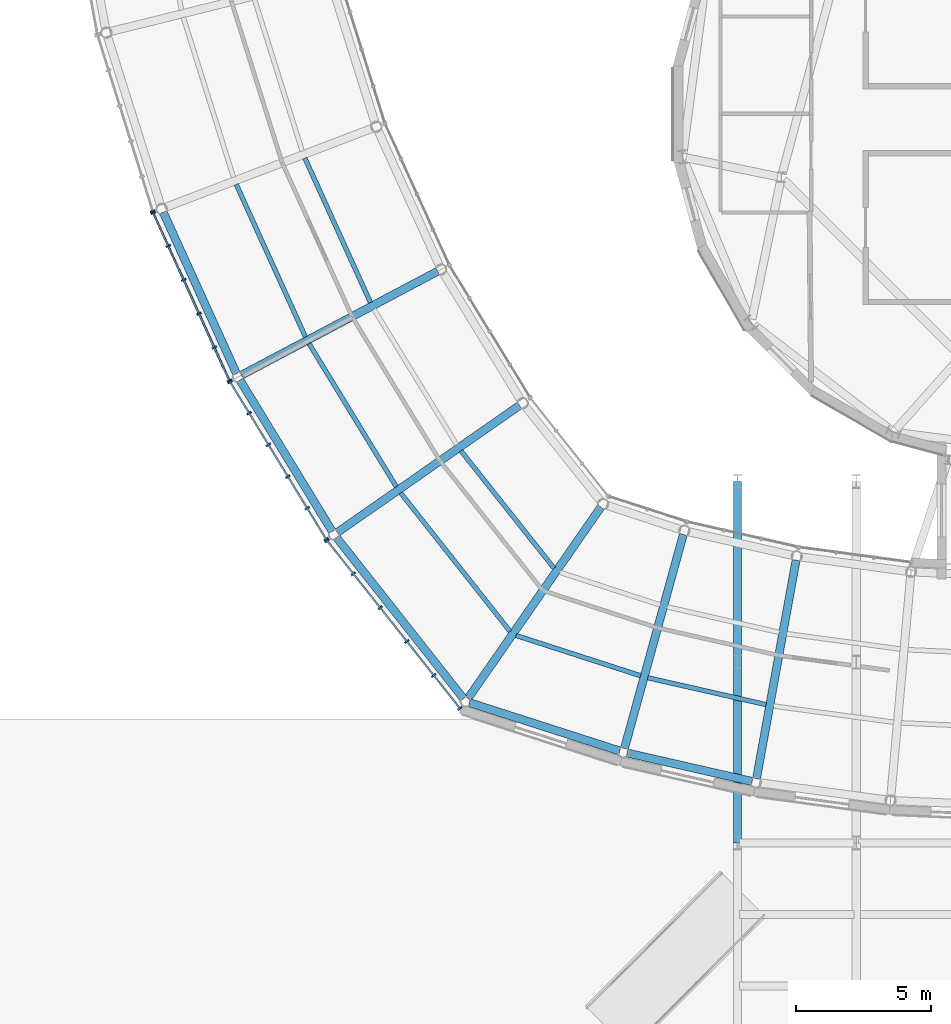
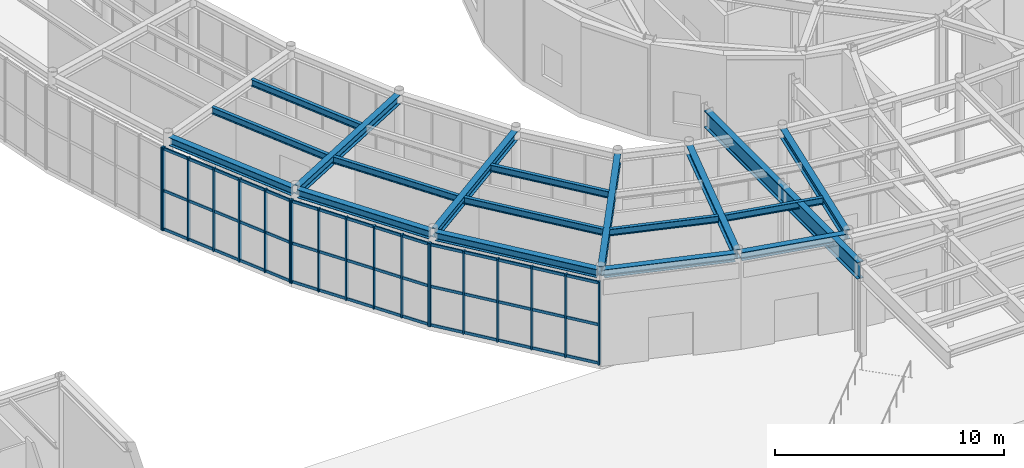
# One storey, part 19 of 97: 28 members, 18 beams, 4 elements without a shape of their own.
"""IFC4 building model written with IfcOpenShell, lengths in metres."""

from ifc_helpers import new_model, si_unit, direction, frame, origin, origin_2d, place, context, subcontext, project, spatial, rectangle, i_section, extrude, material, material_profile, profile_set, type_object, element, aggregate, save


model = new_model("IFC4")

# Units and contexts
model_context = context("Model", 3, precision=1e-05, world=origin(), true_north=direction((0.0, 1.0)))
body_context = subcontext(model_context, "Body", "Model", "MODEL_VIEW")
ifc_project = project(units=[si_unit("LENGTHUNIT", "METRE"), si_unit("AREAUNIT", "SQUARE_METRE"), si_unit("VOLUMEUNIT", "CUBIC_METRE"), si_unit("PLANEANGLEUNIT", "RADIAN"), si_unit("MASSUNIT", "GRAM", prefix="KILO")], contexts=[model_context])

# Site, building, storey
site_placement = place(None, origin())
site = spatial("IfcSite", under=ifc_project, at=site_placement, CompositionType="ELEMENT")
building_placement = place(site_placement, origin())
building = spatial("IfcBuilding", under=site, at=building_placement, Name="Varnklinge Art Gallery", CompositionType="ELEMENT")
storey_placement = place(building_placement, origin())
storey = spatial("IfcBuildingStorey", under=building, at=storey_placement, Name="L00", CompositionType="ELEMENT", Elevation=0.0)

# Beams
ifc_material_1 = material(Name="Steel S355", Category="steel")
ifc_material_profile_1 = material_profile(ifc_material_1, i_section(OverallWidth=0.300048828125, OverallDepth=0.89990234375, WebThickness=0.0185546875, FlangeThickness=0.034912109375, FilletRadius=0.030029296875, at=origin_2d()), Name="HEB 900")
ifc_profile_set_1 = profile_set([ifc_material_profile_1], Name="Steel S355")
beam_type_1 = type_object("IfcBeamType", Name="BM-02", PredefinedType="BEAM", material=ifc_profile_set_1)
beam_1_placement = place(storey_placement, frame((64.800048828125, 24.800048828125, 4.429931640625), z_axis=(0.0, -1.0, 0.0), x_axis=(1.0, 0.0, 0.0)))
element("IfcBeam", 1, at=beam_1_placement, inside=storey, type_object=beam_type_1, Name="Canopy Inline Backspan Girder 1", PredefinedType="BEAM", context=body_context, shape_type="SweptSolid", body=[
    extrude(i_section(OverallWidth=0.300048828125, OverallDepth=0.89990234375, WebThickness=0.0185546875, FlangeThickness=0.034912109375, FilletRadius=0.030029296875, at=origin_2d()), origin(), (0.0, 0.0, 1.0), 13.400146484375),
])
ifc_material_2 = material(Name="Steel S355", Category="steel")
ifc_material_profile_2 = material_profile(ifc_material_2, i_section(OverallWidth=0.300048828125, OverallDepth=0.489990234375, WebThickness=0.011962890625, FlangeThickness=0.02294921875, FilletRadius=0.027099609375, at=origin_2d()), Name="HEA 500")
ifc_profile_set_2 = profile_set([ifc_material_profile_2], Name="Steel S355")
beam_type_2 = type_object("IfcBeamType", Name="BM-07", PredefinedType="BEAM", material=ifc_profile_set_2)
beam_2_placement = place(storey_placement, frame((46.407470703125, 28.734619140625, 4.635009765625), z_axis=(0.883713647739, 0.468027978651, 0.0), x_axis=(-0.468027978651, 0.883713647739, 0.0)))
element("IfcBeam", 2, at=beam_2_placement, inside=storey, type_object=beam_type_2, Name="L00 BM-07 BM-V2-L01-R31", PredefinedType="BEAM", context=body_context, shape_type="SweptSolid", body=[
    extrude(i_section(OverallWidth=0.300048828125, OverallDepth=0.489990234375, WebThickness=0.011962890625, FlangeThickness=0.02294921875, FilletRadius=0.027099609375, at=origin_2d()), origin(), (0.0, 0.0, 1.0), 8.237060546875),
])
beam_3_placement = place(storey_placement, frame((49.96484375, 22.9052734375, 4.635009765625), z_axis=(0.820324852304, 0.571897837635, 0.0), x_axis=(-0.571897837635, 0.820324852304, 0.0)))
element("IfcBeam", 3, at=beam_3_placement, inside=storey, type_object=beam_type_2, Name="L00 BM-07 BM-V2-L01-R32", PredefinedType="BEAM", context=body_context, shape_type="SweptSolid", body=[
    extrude(i_section(OverallWidth=0.300048828125, OverallDepth=0.489990234375, WebThickness=0.011962890625, FlangeThickness=0.02294921875, FilletRadius=0.027099609375, at=origin_2d()), origin(), (0.0, 0.0, 1.0), 8.2373046875),
])
beam_4_placement = place(storey_placement, frame((54.80908203125, 16.755126953125, 4.635009765625), z_axis=(0.570588727281, 0.821235961402, 0.0), x_axis=(-0.821235961402, 0.570588727281, 0.0)))
element("IfcBeam", 4, at=beam_4_placement, inside=storey, type_object=beam_type_2, Name="L00 BM-07 BM-V2-L01-R33", PredefinedType="BEAM", context=body_context, shape_type="SweptSolid", body=[
    extrude(i_section(OverallWidth=0.300048828125, OverallDepth=0.489990234375, WebThickness=0.011962890625, FlangeThickness=0.02294921875, FilletRadius=0.027099609375, at=origin_2d()), origin(), (0.0, 0.0, 1.0), 8.6318359375),
])
for number, where, z_axis, x_axis, name in (
    (5, (60.607421875, 14.897705078125, 4.635009765625), (0.26537851046, 0.96414430776, 0.0), (-0.96414430776, 0.26537851046, 0.0), "L00 BM-07 BM-V2-L01-R34"),
    (6, (65.504638671875, 13.78271484375, 4.635009765625), (0.178151776958, 0.984003020507, 0.0), (-0.984003020507, 0.178151776958, 0.0), "L00 BM-07 BM-V2-L01-R35"),
):
    element("IfcBeam", number, at=place(storey_placement, frame(where, z_axis=z_axis, x_axis=x_axis)), inside=storey, type_object=beam_type_2, Name=name, PredefinedType="BEAM", context=body_context, shape_type="SweptSolid", body=[
        extrude(i_section(OverallWidth=0.300048828125, OverallDepth=0.489990234375, WebThickness=0.011962890625, FlangeThickness=0.02294921875, FilletRadius=0.027099609375, at=origin_2d()), origin(), (0.0, 0.0, 1.0), 8.229248046875),
    ])
ifc_material_3 = material(Name="Steel S355", Category="steel")
ifc_material_profile_3 = material_profile(ifc_material_3, i_section(OverallWidth=0.169921875, OverallDepth=0.360107421875, WebThickness=0.008056640625, FlangeThickness=0.0126953125, FilletRadius=0.01806640625, at=origin_2d()), Name="IPE 360")
ifc_profile_set_3 = profile_set([ifc_material_profile_3], Name="Steel S355")
beam_type_3 = type_object("IfcBeamType", Name="JST-06", PredefinedType="JOIST", material=ifc_profile_set_3)
beam_5_placement = place(storey_placement, frame((46.216064453125, 35.809814453125, 4.699951171875), z_axis=(0.413409198448, -0.910545350127, 0.0), x_axis=(0.910545350127, 0.413409198448, 0.0)))
element("IfcBeam", 7, at=beam_5_placement, inside=storey, type_object=beam_type_3, Name="L00 JST-06 JST-V2-L01-30-1", PredefinedType="JOIST", context=body_context, shape_type="SweptSolid", body=[
    extrude(i_section(OverallWidth=0.169921875, OverallDepth=0.360107421875, WebThickness=0.008056640625, FlangeThickness=0.0126953125, FilletRadius=0.01806640625, at=origin_2d()), origin(), (0.0, 0.0, 1.0), 6.2138671875),
])
beam_6_placement = place(storey_placement, frame((48.76171875, 36.783447265625, 4.699951171875), z_axis=(0.413430786601, -0.910535548285, 0.0), x_axis=(0.910535548285, 0.413430786601, 0.0)))
element("IfcBeam", 8, at=beam_6_placement, inside=storey, type_object=beam_type_3, Name="L00 JST-06 JST-V2-L01-30-2", PredefinedType="JOIST", context=body_context, shape_type="SweptSolid", body=[
    extrude(i_section(OverallWidth=0.169921875, OverallDepth=0.360107421875, WebThickness=0.008056640625, FlangeThickness=0.0126953125, FilletRadius=0.01806640625, at=origin_2d()), origin(), (0.0, 0.0, 1.0), 5.88232421875),
])
beam_7_placement = place(storey_placement, frame((48.915771484375, 29.90478515625, 4.699951171875), z_axis=(0.520923848619, -0.853603153661, 0.0), x_axis=(0.853603153661, 0.520923848619, 0.0)))
element("IfcBeam", 9, at=beam_7_placement, inside=storey, type_object=beam_type_3, Name="L00 JST-06 JST-V2-L01-31-1", PredefinedType="JOIST", context=body_context, shape_type="SweptSolid", body=[
    extrude(i_section(OverallWidth=0.169921875, OverallDepth=0.360107421875, WebThickness=0.008056640625, FlangeThickness=0.0126953125, FilletRadius=0.01806640625, at=origin_2d()), origin(), (0.0, 0.0, 1.0), 6.213623046875),
])
beam_8_placement = place(storey_placement, frame((52.3125, 24.37158203125, 4.699951171875), z_axis=(0.620207823033, -0.784437541331, 0.0), x_axis=(0.784437541331, 0.620207823033, 0.0)))
element("IfcBeam", 10, at=beam_8_placement, inside=storey, type_object=beam_type_3, Name="L00 JST-06 JST-V2-L01-32-1", PredefinedType="JOIST", context=body_context, shape_type="SweptSolid", body=[
    extrude(i_section(OverallWidth=0.169921875, OverallDepth=0.360107421875, WebThickness=0.008056640625, FlangeThickness=0.0126953125, FilletRadius=0.01806640625, at=origin_2d()), origin(), (0.0, 0.0, 1.0), 6.5439453125),
])
beam_9_placement = place(storey_placement, frame((54.54833984375, 25.930419921875, 4.699951171875), z_axis=(0.621380748712, -0.783508752427, 0.0), x_axis=(0.783508752427, 0.621380748712, 0.0)))
element("IfcBeam", 11, at=beam_9_placement, inside=storey, type_object=beam_type_3, Name="L00 JST-06 JST-V2-L01-32-2", PredefinedType="JOIST", context=body_context, shape_type="SweptSolid", body=[
    extrude(i_section(OverallWidth=0.169921875, OverallDepth=0.360107421875, WebThickness=0.008056640625, FlangeThickness=0.0126953125, FilletRadius=0.01806640625, at=origin_2d()), origin(), (0.0, 0.0, 1.0), 5.552001953125),
])
beam_10_placement = place(storey_placement, frame((56.59130859375, 19.085693359375, 4.699951171875), z_axis=(0.951573262441, -0.307422065259, 0.0), x_axis=(0.307422065259, 0.951573262441, 0.0)))
element("IfcBeam", 12, at=beam_10_placement, inside=storey, type_object=beam_type_3, Name="L00 JST-06 JST-V2-L01-33-1", PredefinedType="JOIST", context=body_context, shape_type="SweptSolid", body=[
    extrude(i_section(OverallWidth=0.169921875, OverallDepth=0.360107421875, WebThickness=0.008056640625, FlangeThickness=0.0126953125, FilletRadius=0.01806640625, at=origin_2d()), origin(), (0.0, 0.0, 1.0), 4.848388671875),
])
beam_11_placement = place(storey_placement, frame((61.474609375, 17.52099609375, 4.699951171875), z_axis=(0.975052249235, -0.22197547446, 0.0), x_axis=(0.22197547446, 0.975052249235, 0.0)))
element("IfcBeam", 13, at=beam_11_placement, inside=storey, type_object=beam_type_3, Name="L00 JST-06 JST-V2-L01-34-1", PredefinedType="JOIST", context=body_context, shape_type="SweptSolid", body=[
    extrude(i_section(OverallWidth=0.169921875, OverallDepth=0.360107421875, WebThickness=0.008056640625, FlangeThickness=0.0126953125, FilletRadius=0.01806640625, at=origin_2d()), origin(), (0.0, 0.0, 1.0), 4.49609375),
])

# Curtain wall, member
ifc_material_4 = material(Name="Anodised Aluminium", Category="aluminium")
curtain_wall_type = type_object("IfcCurtainWallType", Name="CW-R01", PredefinedType="USERDEFINED", material=ifc_material_4)
curtain_wall_1_placement = place(storey_placement, origin())
curtain_wall_1 = element("IfcCurtainWall", 14, at=curtain_wall_1_placement, inside=storey, type_object=curtain_wall_type, Name="L00 Curtain Wall CW-V2O-L00-29", ObjectType="UNITISED CURTAIN WALL", PredefinedType="USERDEFINED")
ifc_material_5 = material(Name="Anodised Aluminium", Category="aluminium")
ifc_material_profile_4 = material_profile(ifc_material_5, rectangle(XDim=0.06494140625, YDim=0.179931640625, at=origin_2d()), Name="ALU 65x180")
ifc_profile_set_4 = profile_set([ifc_material_profile_4], Name="Anodised Aluminium")
member_type_1 = type_object("IfcMemberType", Name="MUL-01", PredefinedType="MULLION", material=ifc_profile_set_4)
member_1_placement = place(storey_placement, frame((43.116943359375, 34.808837890625, 0.0), z_axis=(0.0, 0.0, 1.0), x_axis=(0.299706904751, -0.954031326134, 0.0)))
member_1 = element("IfcMember", 15, at=member_1_placement, type_object=member_type_1, Name="CW-V2O-L00-29 Mullion 6", PredefinedType="MULLION", context=body_context, shape_type="SweptSolid", body=[
    extrude(rectangle(XDim=0.06494140625, YDim=0.179931640625, at=origin_2d()), origin(), (0.0, 0.0, 1.0), 4.429931640625),
])
aggregate(curtain_wall_1, [member_1])

# Curtain wall, members
curtain_wall_2_placement = place(storey_placement, origin())
curtain_wall_2 = element("IfcCurtainWall", 16, at=curtain_wall_2_placement, inside=storey, type_object=curtain_wall_type, Name="L00 Curtain Wall CW-V2O-L00-30", ObjectType="UNITISED CURTAIN WALL", PredefinedType="USERDEFINED")
member_2_placement = place(storey_placement, frame((43.139892578125, 34.748291015625, 0.0), z_axis=(0.0, 0.0, 1.0), x_axis=(0.413422293217, -0.910539404678, 0.0)))
member_2 = element("IfcMember", 17, at=member_2_placement, type_object=member_type_1, Name="CW-V2O-L00-30 Mullion 1", PredefinedType="MULLION", context=body_context, shape_type="SweptSolid", body=[
    extrude(rectangle(XDim=0.06494140625, YDim=0.179931640625, at=origin_2d()), origin(), (0.0, 0.0, 1.0), 4.429931640625),
])
member_3_placement = place(storey_placement, frame((43.6962890625, 33.523193359375, 0.0), z_axis=(0.0, 0.0, 1.0), x_axis=(0.413422293217, -0.910539404678, 0.0)))
member_3 = element("IfcMember", 18, at=member_3_placement, type_object=member_type_1, Name="CW-V2O-L00-30 Mullion 2", PredefinedType="MULLION", context=body_context, shape_type="SweptSolid", body=[
    extrude(rectangle(XDim=0.06494140625, YDim=0.179931640625, at=origin_2d()), origin(), (0.0, 0.0, 1.0), 4.429931640625),
])
member_4_placement = place(storey_placement, frame((44.265869140625, 32.268798828125, 0.0), z_axis=(0.0, 0.0, 1.0), x_axis=(0.413422293217, -0.910539404678, 0.0)))
member_4 = element("IfcMember", 19, at=member_4_placement, type_object=member_type_1, Name="CW-V2O-L00-30 Mullion 3", PredefinedType="MULLION", context=body_context, shape_type="SweptSolid", body=[
    extrude(rectangle(XDim=0.06494140625, YDim=0.179931640625, at=origin_2d()), origin(), (0.0, 0.0, 1.0), 4.429931640625),
])
member_5_placement = place(storey_placement, frame((44.835205078125, 31.01416015625, 0.0), z_axis=(0.0, 0.0, 1.0), x_axis=(0.413422293217, -0.910539404678, 0.0)))
member_5 = element("IfcMember", 20, at=member_5_placement, type_object=member_type_1, Name="CW-V2O-L00-30 Mullion 4", PredefinedType="MULLION", context=body_context, shape_type="SweptSolid", body=[
    extrude(rectangle(XDim=0.06494140625, YDim=0.179931640625, at=origin_2d()), origin(), (0.0, 0.0, 1.0), 4.429931640625),
])
member_6_placement = place(storey_placement, frame((45.40478515625, 29.759765625, 0.0), z_axis=(0.0, 0.0, 1.0), x_axis=(0.413422293217, -0.910539404678, 0.0)))
member_6 = element("IfcMember", 21, at=member_6_placement, type_object=member_type_1, Name="CW-V2O-L00-30 Mullion 5", PredefinedType="MULLION", context=body_context, shape_type="SweptSolid", body=[
    extrude(rectangle(XDim=0.06494140625, YDim=0.179931640625, at=origin_2d()), origin(), (0.0, 0.0, 1.0), 4.429931640625),
])
member_7_placement = place(storey_placement, frame((45.961181640625, 28.534912109375, 0.0), z_axis=(0.0, 0.0, 1.0), x_axis=(0.413422293217, -0.910539404678, 0.0)))
member_7 = element("IfcMember", 22, at=member_7_placement, type_object=member_type_1, Name="CW-V2O-L00-30 Mullion 6", PredefinedType="MULLION", context=body_context, shape_type="SweptSolid", body=[
    extrude(rectangle(XDim=0.06494140625, YDim=0.179931640625, at=origin_2d()), origin(), (0.0, 0.0, 1.0), 4.429931640625),
])

curtain_wall_3_placement = place(storey_placement, origin())
curtain_wall_3 = element("IfcCurtainWall", 23, at=curtain_wall_3_placement, inside=storey, type_object=curtain_wall_type, Name="L00 Curtain Wall CW-V2O-L00-31", ObjectType="UNITISED CURTAIN WALL", PredefinedType="USERDEFINED")
member_8_placement = place(storey_placement, frame((45.991455078125, 28.4775390625, 0.0), z_axis=(0.0, 0.0, 1.0), x_axis=(0.520860651188, -0.85364171761, 0.0)))
member_8 = element("IfcMember", 24, at=member_8_placement, type_object=member_type_1, Name="CW-V2O-L00-31 Mullion 1", PredefinedType="MULLION", context=body_context, shape_type="SweptSolid", body=[
    extrude(rectangle(XDim=0.06494140625, YDim=0.179931640625, at=origin_2d()), origin(), (0.0, 0.0, 1.0), 4.429931640625),
])
member_9_placement = place(storey_placement, frame((46.692138671875, 27.3291015625, 0.0), z_axis=(0.0, 0.0, 1.0), x_axis=(0.520860651188, -0.85364171761, 0.0)))
member_9 = element("IfcMember", 25, at=member_9_placement, type_object=member_type_1, Name="CW-V2O-L00-31 Mullion 2", PredefinedType="MULLION", context=body_context, shape_type="SweptSolid", body=[
    extrude(rectangle(XDim=0.06494140625, YDim=0.179931640625, at=origin_2d()), origin(), (0.0, 0.0, 1.0), 4.429931640625),
])
member_10_placement = place(storey_placement, frame((47.409912109375, 26.153076171875, 0.0), z_axis=(0.0, 0.0, 1.0), x_axis=(0.520860651188, -0.85364171761, 0.0)))
member_10 = element("IfcMember", 26, at=member_10_placement, type_object=member_type_1, Name="CW-V2O-L00-31 Mullion 3", PredefinedType="MULLION", context=body_context, shape_type="SweptSolid", body=[
    extrude(rectangle(XDim=0.06494140625, YDim=0.179931640625, at=origin_2d()), origin(), (0.0, 0.0, 1.0), 4.429931640625),
])
member_11_placement = place(storey_placement, frame((48.127685546875, 24.97705078125, 0.0), z_axis=(0.0, 0.0, 1.0), x_axis=(0.520860651188, -0.85364171761, 0.0)))
member_11 = element("IfcMember", 27, at=member_11_placement, type_object=member_type_1, Name="CW-V2O-L00-31 Mullion 4", PredefinedType="MULLION", context=body_context, shape_type="SweptSolid", body=[
    extrude(rectangle(XDim=0.06494140625, YDim=0.179931640625, at=origin_2d()), origin(), (0.0, 0.0, 1.0), 4.429931640625),
])
member_12_placement = place(storey_placement, frame((48.84521484375, 23.801025390625, 0.0), z_axis=(0.0, 0.0, 1.0), x_axis=(0.520860651188, -0.85364171761, 0.0)))
member_12 = element("IfcMember", 28, at=member_12_placement, type_object=member_type_1, Name="CW-V2O-L00-31 Mullion 5", PredefinedType="MULLION", context=body_context, shape_type="SweptSolid", body=[
    extrude(rectangle(XDim=0.06494140625, YDim=0.179931640625, at=origin_2d()), origin(), (0.0, 0.0, 1.0), 4.429931640625),
])
member_13_placement = place(storey_placement, frame((49.546142578125, 22.652587890625, 0.0), z_axis=(0.0, 0.0, 1.0), x_axis=(0.520860651188, -0.85364171761, 0.0)))
member_13 = element("IfcMember", 29, at=member_13_placement, type_object=member_type_1, Name="CW-V2O-L00-31 Mullion 6", PredefinedType="MULLION", context=body_context, shape_type="SweptSolid", body=[
    extrude(rectangle(XDim=0.06494140625, YDim=0.179931640625, at=origin_2d()), origin(), (0.0, 0.0, 1.0), 4.429931640625),
])

curtain_wall_4_placement = place(storey_placement, origin())
curtain_wall_4 = element("IfcCurtainWall", 30, at=curtain_wall_4_placement, inside=storey, type_object=curtain_wall_type, Name="L00 Curtain Wall CW-V2O-L00-32", ObjectType="UNITISED CURTAIN WALL", PredefinedType="USERDEFINED")
member_14_placement = place(storey_placement, frame((49.583251953125, 22.599609375, 0.0), z_axis=(0.0, 0.0, 1.0), x_axis=(0.620737354217, -0.784018582101, 0.0)))
member_14 = element("IfcMember", 31, at=member_14_placement, type_object=member_type_1, Name="CW-V2O-L00-32 Mullion 1", PredefinedType="MULLION", context=body_context, shape_type="SweptSolid", body=[
    extrude(rectangle(XDim=0.06494140625, YDim=0.179931640625, at=origin_2d()), origin(), (0.0, 0.0, 1.0), 4.429931640625),
])
member_15_placement = place(storey_placement, frame((50.556396484375, 21.37060546875, 0.0), z_axis=(0.0, 0.0, 1.0), x_axis=(0.620737354217, -0.784018582101, 0.0)))
member_15 = element("IfcMember", 32, at=member_15_placement, type_object=member_type_1, Name="CW-V2O-L00-32 Mullion 2", PredefinedType="MULLION", context=body_context, shape_type="SweptSolid", body=[
    extrude(rectangle(XDim=0.06494140625, YDim=0.179931640625, at=origin_2d()), origin(), (0.0, 0.0, 1.0), 4.429931640625),
])
member_16_placement = place(storey_placement, frame((51.549560546875, 20.1162109375, 0.0), z_axis=(0.0, 0.0, 1.0), x_axis=(0.620737354217, -0.784018582101, 0.0)))
member_16 = element("IfcMember", 33, at=member_16_placement, type_object=member_type_1, Name="CW-V2O-L00-32 Mullion 3", PredefinedType="MULLION", context=body_context, shape_type="SweptSolid", body=[
    extrude(rectangle(XDim=0.06494140625, YDim=0.179931640625, at=origin_2d()), origin(), (0.0, 0.0, 1.0), 4.429931640625),
])
member_17_placement = place(storey_placement, frame((52.542724609375, 18.86181640625, 0.0), z_axis=(0.0, 0.0, 1.0), x_axis=(0.620737354217, -0.784018582101, 0.0)))
member_17 = element("IfcMember", 34, at=member_17_placement, type_object=member_type_1, Name="CW-V2O-L00-32 Mullion 4", PredefinedType="MULLION", context=body_context, shape_type="SweptSolid", body=[
    extrude(rectangle(XDim=0.06494140625, YDim=0.179931640625, at=origin_2d()), origin(), (0.0, 0.0, 1.0), 4.429931640625),
])
member_18_placement = place(storey_placement, frame((53.5361328125, 17.607177734375, 0.0), z_axis=(0.0, 0.0, 1.0), x_axis=(0.620737354217, -0.784018582101, 0.0)))
member_18 = element("IfcMember", 35, at=member_18_placement, type_object=member_type_1, Name="CW-V2O-L00-32 Mullion 5", PredefinedType="MULLION", context=body_context, shape_type="SweptSolid", body=[
    extrude(rectangle(XDim=0.06494140625, YDim=0.179931640625, at=origin_2d()), origin(), (0.0, 0.0, 1.0), 4.429931640625),
])
member_19_placement = place(storey_placement, frame((54.50927734375, 16.37841796875, 0.0), z_axis=(0.0, 0.0, 1.0), x_axis=(0.620737354217, -0.784018582101, 0.0)))
member_19 = element("IfcMember", 36, at=member_19_placement, type_object=member_type_1, Name="CW-V2O-L00-32 Mullion 6", PredefinedType="MULLION", context=body_context, shape_type="SweptSolid", body=[
    extrude(rectangle(XDim=0.06494140625, YDim=0.179931640625, at=origin_2d()), origin(), (0.0, 0.0, 1.0), 4.429931640625),
])

# Beams
ifc_material_6 = material(Name="Steel S355", Category="steel")
ifc_material_profile_5 = material_profile(ifc_material_6, i_section(OverallWidth=0.300048828125, OverallDepth=0.43994140625, WebThickness=0.011474609375, FlangeThickness=0.02099609375, FilletRadius=0.027099609375, at=origin_2d()), Name="HEA 450")
ifc_profile_set_5 = profile_set([ifc_material_profile_5], Name="Steel S355")
beam_type_4 = type_object("IfcBeamType", Name="SPB-02", PredefinedType="SPANDREL", material=ifc_profile_set_5)
beam_12_placement = place(storey_placement, frame((43.511474609375, 34.775390625, 4.659912109375), z_axis=(0.413377101484, -0.910559922229, 0.0), x_axis=(0.910559922229, 0.413377101484, 0.0)))
element("IfcBeam", 37, at=beam_12_placement, inside=storey, type_object=beam_type_4, Name="L00 SPB-02 BM-V2-L01-O30", PredefinedType="SPANDREL", context=body_context, shape_type="SweptSolid", body=[
    extrude(i_section(OverallWidth=0.300048828125, OverallDepth=0.43994140625, WebThickness=0.011474609375, FlangeThickness=0.02099609375, FilletRadius=0.027099609375, at=origin_2d()), origin(), (0.0, 0.0, 1.0), 6.56640625),
])
beam_13_placement = place(storey_placement, frame((46.356689453125, 28.549560546875, 4.659912109375), z_axis=(0.520911485476, -0.853610698327, 0.0), x_axis=(0.853610698327, 0.520911485476, 0.0)))
element("IfcBeam", 38, at=beam_13_placement, inside=storey, type_object=beam_type_4, Name="L00 SPB-02 BM-V2-L01-O31", PredefinedType="SPANDREL", context=body_context, shape_type="SweptSolid", body=[
    extrude(i_section(OverallWidth=0.300048828125, OverallDepth=0.43994140625, WebThickness=0.011474609375, FlangeThickness=0.02099609375, FilletRadius=0.027099609375, at=origin_2d()), origin(), (0.0, 0.0, 1.0), 6.566162109375),
])
beam_14_placement = place(storey_placement, frame((49.936767578125, 22.71533203125, 4.659912109375), z_axis=(0.619327516232, -0.785132745233, 0.0), x_axis=(0.785132745233, 0.619327516232, 0.0)))
element("IfcBeam", 39, at=beam_14_placement, inside=storey, type_object=beam_type_4, Name="L00 SPB-02 BM-V2-L01-O32", PredefinedType="SPANDREL", context=body_context, shape_type="SweptSolid", body=[
    extrude(i_section(OverallWidth=0.300048828125, OverallDepth=0.43994140625, WebThickness=0.011474609375, FlangeThickness=0.02099609375, FilletRadius=0.027099609375, at=origin_2d()), origin(), (0.0, 0.0, 1.0), 7.597900390625),
])
beam_15_placement = place(storey_placement, frame((54.8623046875, 16.597412109375, 4.659912109375), z_axis=(0.952022487869, -0.306028074843, 0.0), x_axis=(0.306028074843, 0.952022487869, 0.0)))
element("IfcBeam", 40, at=beam_15_placement, inside=storey, type_object=beam_type_4, Name="L00 SPB-02 BM-V2-L01-O33", PredefinedType="SPANDREL", context=body_context, shape_type="SweptSolid", body=[
    extrude(i_section(OverallWidth=0.300048828125, OverallDepth=0.43994140625, WebThickness=0.011474609375, FlangeThickness=0.02099609375, FilletRadius=0.027099609375, at=origin_2d()), origin(), (0.0, 0.0, 1.0), 5.855712890625),
])
beam_16_placement = place(storey_placement, frame((60.706787109375, 14.7314453125, 4.659912109375), z_axis=(0.975056640979, -0.221956182347, 0.0), x_axis=(0.221956182347, 0.975056640979, 0.0)))
element("IfcBeam", 41, at=beam_16_placement, inside=storey, type_object=beam_type_4, Name="L00 SPB-02 BM-V2-L01-O34", PredefinedType="SPANDREL", context=body_context, shape_type="SweptSolid", body=[
    extrude(i_section(OverallWidth=0.300048828125, OverallDepth=0.43994140625, WebThickness=0.011474609375, FlangeThickness=0.02099609375, FilletRadius=0.027099609375, at=origin_2d()), origin(), (0.0, 0.0, 1.0), 4.755126953125),
])

# Member
ifc_material_7 = material(Name="Anodised Aluminium", Category="aluminium")
ifc_material_profile_6 = material_profile(ifc_material_7, rectangle(XDim=0.06494140625, YDim=0.14990234375, at=origin_2d()), Name="ALU 65x150")
ifc_profile_set_6 = profile_set([ifc_material_profile_6], Name="Anodised Aluminium")
member_type_2 = type_object("IfcMemberType", Name="TRN-01", PredefinedType="USERDEFINED", material=ifc_profile_set_6)
member_20_placement = place(storey_placement, frame((43.139892578125, 34.748291015625, 0.074951171875), z_axis=(0.413441708703, -0.910530589, 0.0), x_axis=(0.910530589, 0.413441708703, 0.0)))
member_20 = element("IfcMember", 42, at=member_20_placement, type_object=member_type_2, Name="CW-V2O-L00-30 Transom 1", ObjectType="TRANSOM", PredefinedType="USERDEFINED", context=body_context, shape_type="SweptSolid", body=[
    extrude(rectangle(XDim=0.06494140625, YDim=0.14990234375, at=origin_2d()), origin(), (0.0, 0.0, 1.0), 6.823974609375),
])

member_21_placement = place(storey_placement, frame((43.139892578125, 34.748291015625, 2.12646484375), z_axis=(0.413441708703, -0.910530589, 0.0), x_axis=(0.910530589, 0.413441708703, 0.0)))
member_21 = element("IfcMember", 43, at=member_21_placement, type_object=member_type_2, Name="CW-V2O-L00-30 Transom 2", ObjectType="TRANSOM", PredefinedType="USERDEFINED", context=body_context, shape_type="SweptSolid", body=[
    extrude(rectangle(XDim=0.06494140625, YDim=0.14990234375, at=origin_2d()), origin(), (0.0, 0.0, 1.0), 6.823974609375),
])

member_22_placement = place(storey_placement, frame((43.139892578125, 34.748291015625, 4.35498046875), z_axis=(0.413441708703, -0.910530589, 0.0), x_axis=(0.910530589, 0.413441708703, 0.0)))
member_22 = element("IfcMember", 44, at=member_22_placement, type_object=member_type_2, Name="CW-V2O-L00-30 Transom 3", ObjectType="TRANSOM", PredefinedType="USERDEFINED", context=body_context, shape_type="SweptSolid", body=[
    extrude(rectangle(XDim=0.06494140625, YDim=0.14990234375, at=origin_2d()), origin(), (0.0, 0.0, 1.0), 6.823974609375),
])

aggregate(curtain_wall_2, [member_2, member_3, member_4, member_5, member_6, member_7, member_20, member_21, member_22])

member_23_placement = place(storey_placement, frame((45.991455078125, 28.4775390625, 0.074951171875), z_axis=(0.520915902613, -0.853608002777, 0.0), x_axis=(0.853608002777, 0.520915902613, 0.0)))
member_23 = element("IfcMember", 45, at=member_23_placement, type_object=member_type_2, Name="CW-V2O-L00-31 Transom 1", ObjectType="TRANSOM", PredefinedType="USERDEFINED", context=body_context, shape_type="SweptSolid", body=[
    extrude(rectangle(XDim=0.06494140625, YDim=0.14990234375, at=origin_2d()), origin(), (0.0, 0.0, 1.0), 6.823974609375),
])

member_24_placement = place(storey_placement, frame((45.991455078125, 28.4775390625, 2.12646484375), z_axis=(0.520915902613, -0.853608002777, 0.0), x_axis=(0.853608002777, 0.520915902613, 0.0)))
member_24 = element("IfcMember", 46, at=member_24_placement, type_object=member_type_2, Name="CW-V2O-L00-31 Transom 2", ObjectType="TRANSOM", PredefinedType="USERDEFINED", context=body_context, shape_type="SweptSolid", body=[
    extrude(rectangle(XDim=0.06494140625, YDim=0.14990234375, at=origin_2d()), origin(), (0.0, 0.0, 1.0), 6.823974609375),
])

member_25_placement = place(storey_placement, frame((45.991455078125, 28.4775390625, 4.35498046875), z_axis=(0.520915902613, -0.853608002777, 0.0), x_axis=(0.853608002777, 0.520915902613, 0.0)))
member_25 = element("IfcMember", 47, at=member_25_placement, type_object=member_type_2, Name="CW-V2O-L00-31 Transom 3", ObjectType="TRANSOM", PredefinedType="USERDEFINED", context=body_context, shape_type="SweptSolid", body=[
    extrude(rectangle(XDim=0.06494140625, YDim=0.14990234375, at=origin_2d()), origin(), (0.0, 0.0, 1.0), 6.823974609375),
])

aggregate(curtain_wall_3, [member_8, member_9, member_10, member_11, member_12, member_13, member_23, member_24, member_25])

member_26_placement = place(storey_placement, frame((49.583251953125, 22.599609375, 0.074951171875), z_axis=(0.620773865462, -0.783989673376, 0.0), x_axis=(0.783989673376, 0.620773865462, 0.0)))
member_26 = element("IfcMember", 48, at=member_26_placement, type_object=member_type_2, Name="CW-V2O-L00-32 Transom 1", ObjectType="TRANSOM", PredefinedType="USERDEFINED", context=body_context, shape_type="SweptSolid", body=[
    extrude(rectangle(XDim=0.06494140625, YDim=0.14990234375, at=origin_2d()), origin(), (0.0, 0.0, 1.0), 7.935302734375),
])

member_27_placement = place(storey_placement, frame((49.583251953125, 22.599609375, 2.12646484375), z_axis=(0.620773865462, -0.783989673376, 0.0), x_axis=(0.783989673376, 0.620773865462, 0.0)))
member_27 = element("IfcMember", 49, at=member_27_placement, type_object=member_type_2, Name="CW-V2O-L00-32 Transom 2", ObjectType="TRANSOM", PredefinedType="USERDEFINED", context=body_context, shape_type="SweptSolid", body=[
    extrude(rectangle(XDim=0.06494140625, YDim=0.14990234375, at=origin_2d()), origin(), (0.0, 0.0, 1.0), 7.935302734375),
])

member_28_placement = place(storey_placement, frame((49.583251953125, 22.599609375, 4.35498046875), z_axis=(0.620773865462, -0.783989673376, 0.0), x_axis=(0.783989673376, 0.620773865462, 0.0)))
member_28 = element("IfcMember", 50, at=member_28_placement, type_object=member_type_2, Name="CW-V2O-L00-32 Transom 3", ObjectType="TRANSOM", PredefinedType="USERDEFINED", context=body_context, shape_type="SweptSolid", body=[
    extrude(rectangle(XDim=0.06494140625, YDim=0.14990234375, at=origin_2d()), origin(), (0.0, 0.0, 1.0), 7.935302734375),
])

aggregate(curtain_wall_4, [member_14, member_15, member_16, member_17, member_18, member_19, member_26, member_27, member_28])

save(model, "model.ifc")
